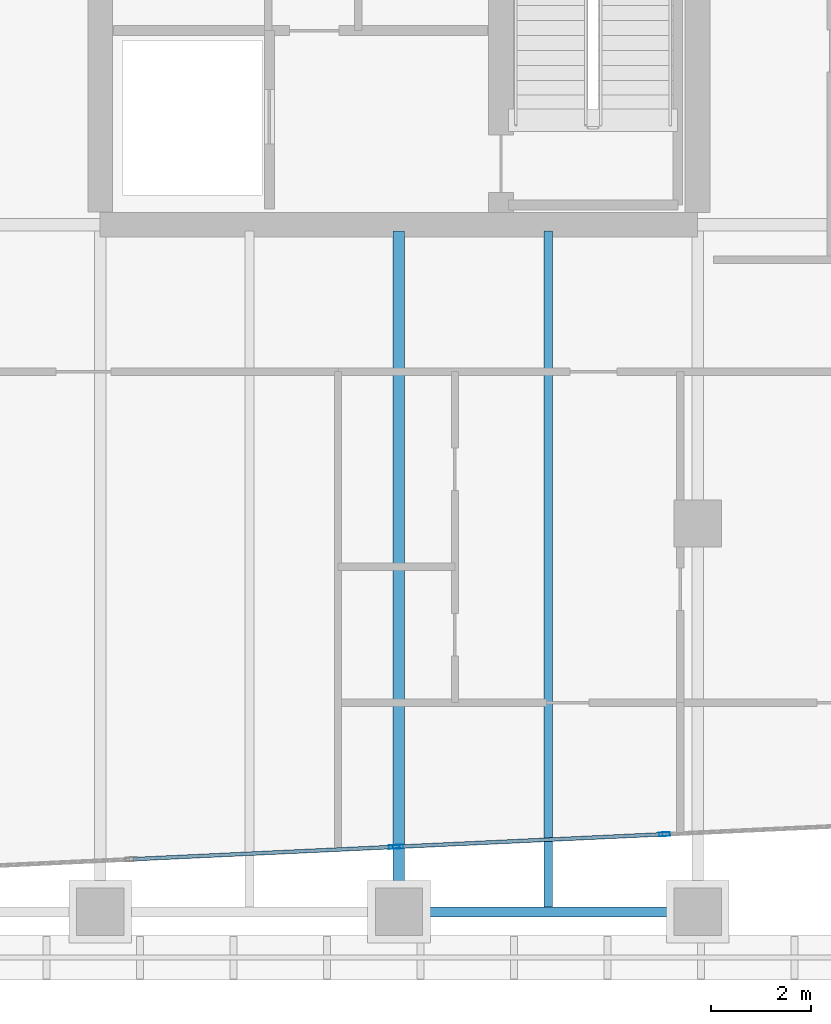
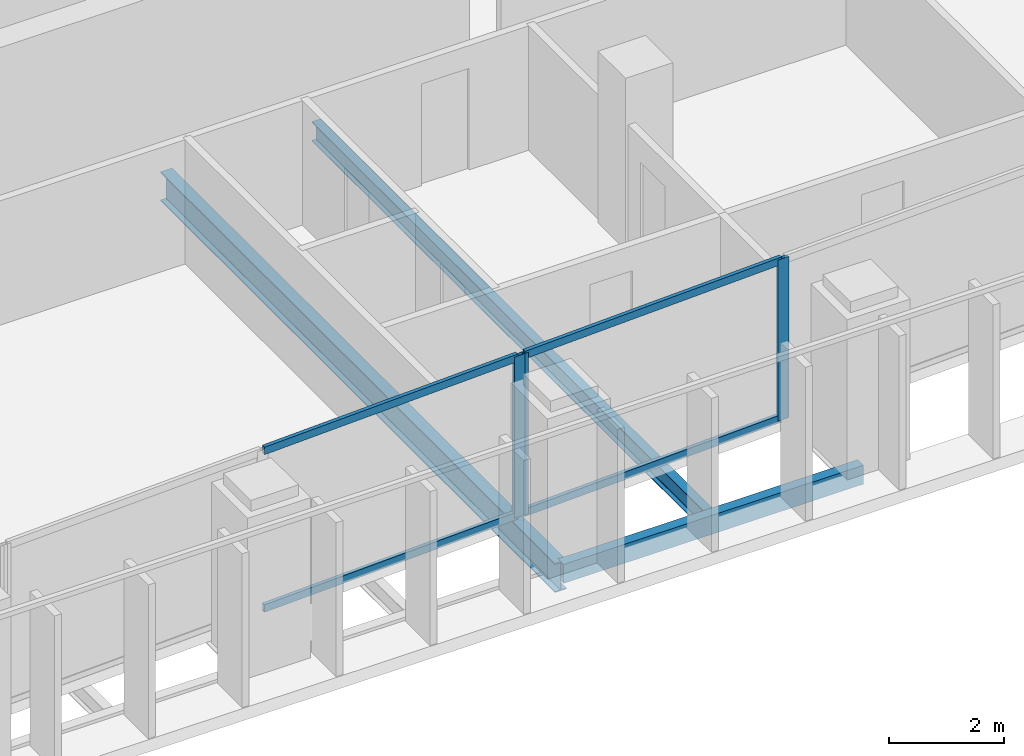
# One storey, part 19 of 39: 7 members, 3 beams, 2 elements without a shape of their own.
"""IFC4 building model written with IfcOpenShell, lengths in metres."""

from ifc_helpers import new_model, si_unit, direction, frame, origin, origin_2d, place, context, subcontext, project, spatial, hollow_rectangle, i_section, extrude, material, layer, layer_set, material_profile, profile_set, type_object, element, aggregate, save


model = new_model("IFC4")

# Units and contexts
model_context = context("Model", 3, precision=1e-05, world=origin(), true_north=direction((0.0, 1.0)))
body_context = subcontext(model_context, "Body", "Model", "MODEL_VIEW")
ifc_project = project(units=[si_unit("LENGTHUNIT", "METRE"), si_unit("AREAUNIT", "SQUARE_METRE"), si_unit("VOLUMEUNIT", "CUBIC_METRE"), si_unit("PLANEANGLEUNIT", "RADIAN"), si_unit("MASSUNIT", "GRAM", prefix="KILO")], contexts=[model_context])

# Site, building, storey
site_placement = place(None, origin())
site = spatial("IfcSite", under=ifc_project, at=site_placement, CompositionType="ELEMENT")
building_placement = place(site_placement, origin())
building = spatial("IfcBuilding", under=site, at=building_placement, Name="Tanjung Sevakor Pilgrim Tower", CompositionType="ELEMENT")
storey_placement = place(building_placement, frame((0.0, 0.0, 112.199951171875)))
storey = spatial("IfcBuildingStorey", under=building, at=storey_placement, Name="L31", CompositionType="ELEMENT", Elevation=112.199951171875)

# Beams
ifc_material_1 = material(Name="Steel S355J2", Category="steel")
ifc_material_profile_1 = material_profile(ifc_material_1, i_section(OverallWidth=0.230224609375, OverallDepth=0.6171875, WebThickness=0.01318359375, FlangeThickness=0.022216796875, FilletRadius=0.0126953125, at=origin_2d()))
ifc_profile_set_1 = profile_set([ifc_material_profile_1], Name="Steel S355J2")
beam_type_1 = type_object("IfcBeamType", Name="BM-B-G3-UB_610x229x140", PredefinedType="BEAM", material=ifc_profile_set_1)
beam_1_placement = place(storey_placement, frame((84.0, 10.800048828125, -0.528564453125), z_axis=(0.0, 1.0, 0.0), x_axis=(-1.0, 0.0, 0.0)))
element("IfcBeam", 1, at=beam_1_placement, inside=storey, type_object=beam_type_1, Name="L31 MAIN Girder 041", PredefinedType="BEAM", context=body_context, shape_type="SweptSolid", body=[
    extrude(i_section(OverallWidth=0.230224609375, OverallDepth=0.6171875, WebThickness=0.01318359375, FlangeThickness=0.022216796875, FilletRadius=0.0126953125, at=origin_2d()), origin(), (0.0, 0.0, 1.0), 13.672607421875),
])
ifc_material_2 = material(Name="Steel S355J2", Category="steel")
ifc_material_profile_2 = material_profile(ifc_material_2, i_section(OverallWidth=0.1787109375, OverallDepth=0.409423828125, WebThickness=0.0087890625, FlangeThickness=0.014404296875, FilletRadius=0.01025390625, at=origin_2d()))
ifc_profile_set_2 = profile_set([ifc_material_profile_2], Name="Steel S355J2")
beam_type_2 = type_object("IfcBeamType", Name="BM-B-J3-UB_406x178x67", PredefinedType="JOIST", material=ifc_profile_set_2)
beam_2_placement = place(storey_placement, frame((87.0, 10.89990234375, -0.424560546875), z_axis=(0.0, 1.0, 0.0), x_axis=(-1.0, 0.0, 0.0)))
element("IfcBeam", 2, at=beam_2_placement, inside=storey, type_object=beam_type_2, Name="L31 MAIN Joist 043", PredefinedType="JOIST", context=body_context, shape_type="SweptSolid", body=[
    extrude(i_section(OverallWidth=0.1787109375, OverallDepth=0.409423828125, WebThickness=0.0087890625, FlangeThickness=0.014404296875, FilletRadius=0.01025390625, at=origin_2d()), origin(), (0.0, 0.0, 1.0), 13.57275390625),
])
ifc_material_3 = material(Name="Steel S355J2", Category="steel")
ifc_material_profile_3 = material_profile(ifc_material_3, hollow_rectangle(XDim=0.199951171875, YDim=0.39990234375, WallThickness=0.01611328125, at=origin_2d()))
ifc_profile_set_3 = profile_set([ifc_material_profile_3], Name="Steel S355J2")
beam_type_3 = type_object("IfcBeamType", Name="BM-B-SP2-RHS_400x200x16", PredefinedType="SPANDREL", material=ifc_profile_set_3)
beam_3_placement = place(storey_placement, frame((84.0, 10.800048828125, -0.419921875), z_axis=(1.0, 0.0, 0.0), x_axis=(0.0, 1.0, 0.0)))
element("IfcBeam", 3, at=beam_3_placement, inside=storey, type_object=beam_type_3, Name="L31 Spandrel MAIN S-17", PredefinedType="SPANDREL", context=body_context, shape_type="SweptSolid", body=[
    extrude(hollow_rectangle(XDim=0.199951171875, YDim=0.39990234375, WallThickness=0.01611328125, at=origin_2d()), origin(), (0.0, 0.0, 1.0), 6.0),
])

# Curtain wall, member
ifc_material_4 = material(Name="Aluminium 6063-T6 and Low-E Glass", Category="aluminium")
ifc_layer = layer(ifc_material_4, 0.199951171875)
ifc_layer_set = layer_set([ifc_layer], Name="CW-SYS-PRAY")
curtain_wall_type = type_object("IfcCurtainWallType", Name="CW-SYS-PRAY", PredefinedType="NOTDEFINED", material=ifc_layer_set)
curtain_wall_1_placement = place(storey_placement, origin())
curtain_wall_1 = element("IfcCurtainWall", 4, at=curtain_wall_1_placement, inside=storey, type_object=curtain_wall_type, Name="L31 Curtain Wall CW-PRY-L31-11", PredefinedType="NOTDEFINED")
ifc_material_5 = material(Name="Aluminium 6063-T6", Category="aluminium")
ifc_material_profile_4 = material_profile(ifc_material_5, hollow_rectangle(XDim=0.074951171875, YDim=0.219970703125, WallThickness=0.0048828125, at=origin_2d()))
ifc_profile_set_4 = profile_set([ifc_material_profile_4], Name="Aluminium 6063-T6")
member_type_1 = type_object("IfcMemberType", Name="TYPE-CWM-2", PredefinedType="MULLION", material=ifc_profile_set_4)
member_1_placement = place(storey_placement, frame((83.90673828125, 12.10302734375, 0.0), z_axis=(0.0, 0.0, 1.0), x_axis=(-0.046903911367, 0.998899405896, 0.0)))
member_1 = element("IfcMember", 5, at=member_1_placement, type_object=member_type_1, Name="CW-PRY mullion 3", PredefinedType="MULLION", context=body_context, shape_type="SweptSolid", body=[
    extrude(hollow_rectangle(XDim=0.074951171875, YDim=0.219970703125, WallThickness=0.0048828125, at=origin_2d()), origin(), (0.0, 0.0, 1.0), 3.41015625),
])

# Curtain wall, members
curtain_wall_2_placement = place(storey_placement, origin())
curtain_wall_2 = element("IfcCurtainWall", 6, at=curtain_wall_2_placement, inside=storey, type_object=curtain_wall_type, Name="L31 Curtain Wall CW-PRY-L31-12", PredefinedType="NOTDEFINED")
member_2_placement = place(storey_placement, frame((83.9814453125, 12.106689453125, 0.0), z_axis=(0.0, 0.0, 1.0), x_axis=(-0.046892491411, 0.998899942061, 0.0)))
member_2 = element("IfcMember", 7, at=member_2_placement, type_object=member_type_1, Name="CW-PRY mullion 1", PredefinedType="MULLION", context=body_context, shape_type="SweptSolid", body=[
    extrude(hollow_rectangle(XDim=0.074951171875, YDim=0.219970703125, WallThickness=0.0048828125, at=origin_2d()), origin(), (0.0, 0.0, 1.0), 3.41015625),
])
member_3_placement = place(storey_placement, frame((89.33447265625, 12.35791015625, 0.0), z_axis=(0.0, 0.0, 1.0), x_axis=(-0.046892491411, 0.998899942061, 0.0)))
member_3 = element("IfcMember", 8, at=member_3_placement, type_object=member_type_1, Name="CW-PRY mullion 2", PredefinedType="MULLION", context=body_context, shape_type="SweptSolid", body=[
    extrude(hollow_rectangle(XDim=0.074951171875, YDim=0.219970703125, WallThickness=0.0048828125, at=origin_2d()), origin(), (0.0, 0.0, 1.0), 3.41015625),
])

# Member
ifc_material_6 = material(Name="Aluminium 6063-T6", Category="aluminium")
ifc_material_profile_5 = material_profile(ifc_material_6, hollow_rectangle(XDim=0.074951171875, YDim=0.159912109375, WallThickness=0.00439453125, at=origin_2d()))
ifc_profile_set_5 = profile_set([ifc_material_profile_5], Name="Aluminium 6063-T6")
member_type_2 = type_object("IfcMemberType", Name="TYPE-CWT-2", PredefinedType="USERDEFINED", material=ifc_profile_set_5)
member_4_placement = place(storey_placement, frame((78.659423828125, 11.856689453125, 0.03759765625), z_axis=(0.998899373751, 0.046904595928, 0.0), x_axis=(-0.046904595928, 0.998899373751, 0.0)))
member_4 = element("IfcMember", 9, at=member_4_placement, type_object=member_type_2, Name="CW-PRY transom 2.1", ObjectType="TRANSOM", PredefinedType="USERDEFINED", context=body_context, shape_type="SweptSolid", body=[
    extrude(hollow_rectangle(XDim=0.074951171875, YDim=0.159912109375, WallThickness=0.00439453125, at=origin_2d()), origin(), (0.0, 0.0, 1.0), 5.215576171875),
])

member_5_placement = place(storey_placement, frame((78.659423828125, 11.856689453125, 3.37255859375), z_axis=(0.998899373751, 0.046904595928, 0.0), x_axis=(-0.046904595928, 0.998899373751, 0.0)))
member_5 = element("IfcMember", 10, at=member_5_placement, type_object=member_type_2, Name="CW-PRY transom 2.2", ObjectType="TRANSOM", PredefinedType="USERDEFINED", context=body_context, shape_type="SweptSolid", body=[
    extrude(hollow_rectangle(XDim=0.074951171875, YDim=0.159912109375, WallThickness=0.00439453125, at=origin_2d()), origin(), (0.0, 0.0, 1.0), 5.215576171875),
])

aggregate(curtain_wall_1, [member_1, member_4, member_5])

member_6_placement = place(storey_placement, frame((84.01904296875, 12.1083984375, 0.03759765625), z_axis=(0.998899693598, 0.046897783848, 0.0), x_axis=(-0.046897783848, 0.998899693598, 0.0)))
member_6 = element("IfcMember", 11, at=member_6_placement, type_object=member_type_2, Name="CW-PRY transom 1.1", ObjectType="TRANSOM", PredefinedType="USERDEFINED", context=body_context, shape_type="SweptSolid", body=[
    extrude(hollow_rectangle(XDim=0.074951171875, YDim=0.159912109375, WallThickness=0.00439453125, at=origin_2d()), origin(), (0.0, 0.0, 1.0), 5.283935546875),
])

member_7_placement = place(storey_placement, frame((84.01904296875, 12.1083984375, 3.37255859375), z_axis=(0.998899693598, 0.046897783848, 0.0), x_axis=(-0.046897783848, 0.998899693598, 0.0)))
member_7 = element("IfcMember", 12, at=member_7_placement, type_object=member_type_2, Name="CW-PRY transom 1.2", ObjectType="TRANSOM", PredefinedType="USERDEFINED", context=body_context, shape_type="SweptSolid", body=[
    extrude(hollow_rectangle(XDim=0.074951171875, YDim=0.159912109375, WallThickness=0.00439453125, at=origin_2d()), origin(), (0.0, 0.0, 1.0), 5.283935546875),
])

aggregate(curtain_wall_2, [member_2, member_3, member_6, member_7])

save(model, "model.ifc")
